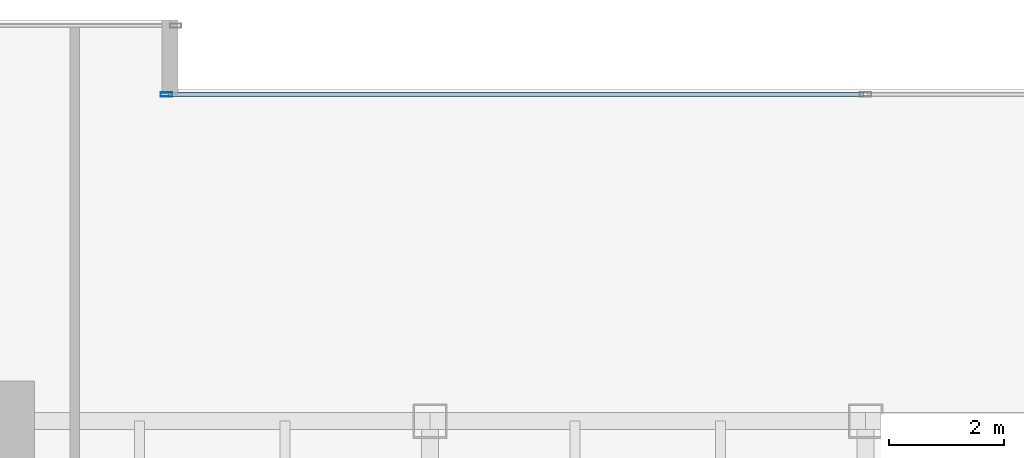
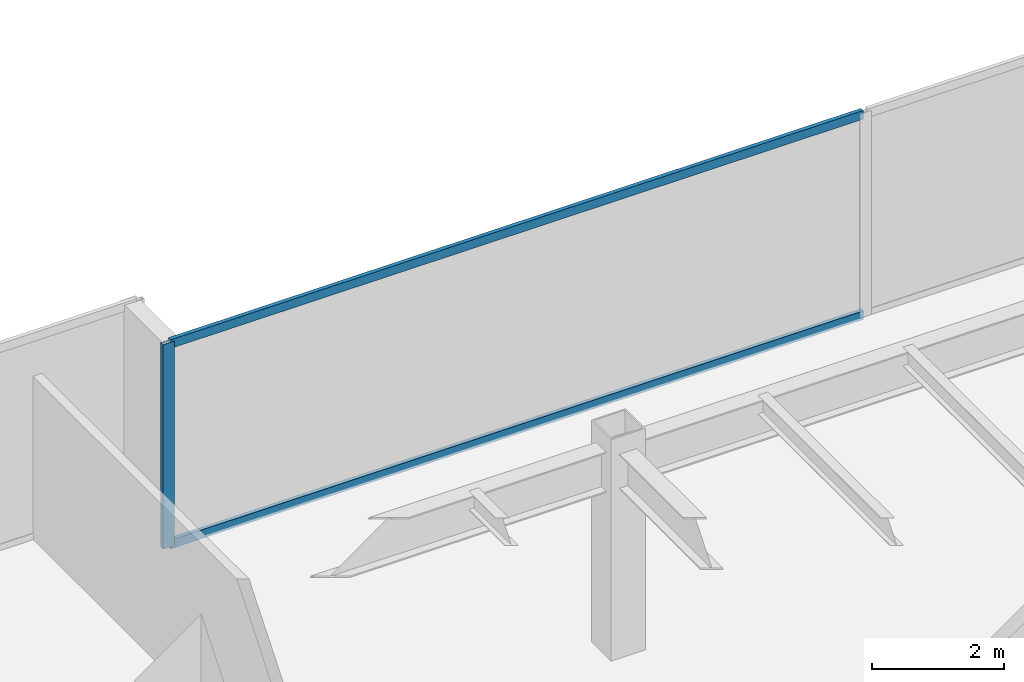
# One storey, part 14 of 35: 3 members, 1 element without a shape of its own.
"""IFC4 building model written with IfcOpenShell, lengths in metres."""

from ifc_helpers import new_model, si_unit, direction, frame, origin, origin_2d, place, context, subcontext, project, spatial, hollow_rectangle, extrude, source, transform, mapped, material, layer, layer_set, material_profile, profile_set, type_object, type_shapes, element, aggregate, save


model = new_model("IFC4")

# Units and contexts
model_context = context("Model", 3, precision=1e-05, world=origin(), true_north=direction((0.0, 1.0)))
body_context = subcontext(model_context, "Body", "Model", "MODEL_VIEW")
ifc_project = project(units=[si_unit("LENGTHUNIT", "METRE"), si_unit("AREAUNIT", "SQUARE_METRE"), si_unit("VOLUMEUNIT", "CUBIC_METRE"), si_unit("PLANEANGLEUNIT", "RADIAN"), si_unit("MASSUNIT", "GRAM", prefix="KILO")], contexts=[model_context])

# Site, building, storey
site_placement = place(None, origin())
site = spatial("IfcSite", under=ifc_project, at=site_placement, CompositionType="ELEMENT")
building_placement = place(site_placement, origin())
building = spatial("IfcBuilding", under=site, at=building_placement, Name="Haelvirn Gate Laboratories", CompositionType="ELEMENT")
storey_placement = place(building_placement, frame((0.0, 0.0, 86.699951171875)))
storey = spatial("IfcBuildingStorey", under=building, at=storey_placement, Name="L21", CompositionType="ELEMENT", Elevation=86.699951171875)

# Curtain wall, members
ifc_material_1 = material(Name="Anodised bronze unitised aluminium & triple low-E glass", Category="aluminium")
ifc_layer = layer(ifc_material_1, 0.18408203125, Name="CW-SYS-2")
ifc_layer_set = layer_set([ifc_layer], Name="Anodised bronze unitised aluminium & triple low-E glass")
curtain_wall_type = type_object("IfcCurtainWallType", Name="CW-SYS-2", PredefinedType="NOTDEFINED", material=ifc_layer_set)
curtain_wall_placement = place(storey_placement, origin())
curtain_wall = element("IfcCurtainWall", 1, at=curtain_wall_placement, inside=storey, type_object=curtain_wall_type, Name="L21 Unitised Curtain Wall CW-L21-P0-E12-1", PredefinedType="NOTDEFINED")
ifc_material_2 = material(Name="Extruded aluminium 6063-T6 (anodised bronze)", Category="aluminium")
ifc_material_profile_1 = material_profile(ifc_material_2, hollow_rectangle(XDim=0.074951171875, YDim=0.199951171875, WallThickness=0.0048828125, at=origin_2d()), Name="CWM-200x75x5")
ifc_profile_set_1 = profile_set([ifc_material_profile_1], Name="Extruded aluminium 6063-T6 (anodised bronze)")
member_type_1 = type_object("IfcMemberType", Name="CWM-T200", PredefinedType="MULLION", material=ifc_profile_set_1)
shared_shape_1 = source(origin(), body_context, "Body", "SweptSolid", [
    extrude(hollow_rectangle(XDim=0.074951171875, YDim=0.199951171875, WallThickness=0.0048828125, at=origin_2d()), origin(), (0.0, 0.0, 1.0), 3.780029296875),
])
type_shapes(member_type_1, [shared_shape_1])
member_1_placement = place(storey_placement, frame((25.197509765625, 47.300048828125, 0.0), z_axis=(0.0, 0.0, 1.0), x_axis=(0.0, 1.0, 0.0)))
member_1 = element("IfcMember", 2, at=member_1_placement, type_object=member_type_1, Name="CW2 mullion 1", PredefinedType="MULLION", context=body_context, shape_type="MappedRepresentation", body=[
    mapped(shared_shape_1, transform((0.0, 0.0, 0.0), scale=1.0)),
])
ifc_material_profile_2 = material_profile(ifc_material_2, hollow_rectangle(XDim=0.070068359375, YDim=0.159912109375, WallThickness=0.0048828125, at=origin_2d()), Name="CWT-160x70x5")
ifc_profile_set_2 = profile_set([ifc_material_profile_2], Name="Extruded aluminium 6063-T6 (anodised bronze)")
member_type_2 = type_object("IfcMemberType", Name="CWT-T160", PredefinedType="USERDEFINED", material=ifc_profile_set_2)
shared_shape_2 = source(origin(), body_context, "Body", "SweptSolid", [
    extrude(hollow_rectangle(XDim=0.070068359375, YDim=0.159912109375, WallThickness=0.0048828125, at=origin_2d()), origin(), (0.0, 0.0, 1.0), 12.12744140625),
])
type_shapes(member_type_2, [shared_shape_2])
member_2_placement = place(storey_placement, frame((25.235107421875, 47.300048828125, 0.03515625), z_axis=(1.0, 0.0, 0.0), x_axis=(0.0, 1.0, 0.0)))
member_2 = element("IfcMember", 3, at=member_2_placement, type_object=member_type_2, Name="CW2 transom 1.1", ObjectType="TRANSOM", PredefinedType="USERDEFINED", context=body_context, shape_type="MappedRepresentation", body=[
    mapped(shared_shape_2, transform((0.0, 0.0, 0.0), scale=1.0)),
])
member_3_placement = place(storey_placement, frame((25.235107421875, 47.300048828125, 3.7451171875), z_axis=(1.0, 0.0, 0.0), x_axis=(0.0, 1.0, 0.0)))
member_3 = element("IfcMember", 4, at=member_3_placement, type_object=member_type_2, Name="CW2 transom 1.2", ObjectType="TRANSOM", PredefinedType="USERDEFINED", context=body_context, shape_type="MappedRepresentation", body=[
    mapped(shared_shape_2, transform((0.0, 0.0, 0.0), scale=1.0)),
])
aggregate(curtain_wall, [member_1, member_2, member_3])

save(model, "model.ifc")
